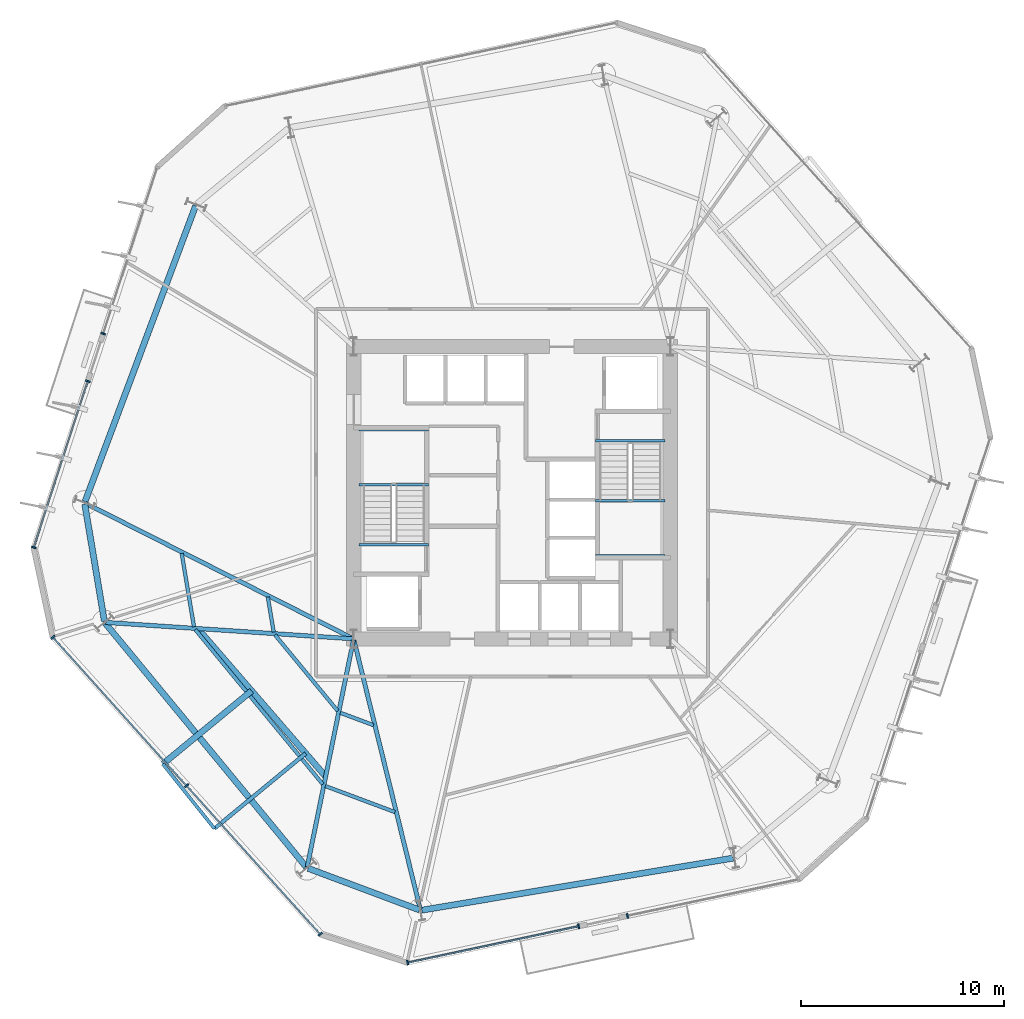
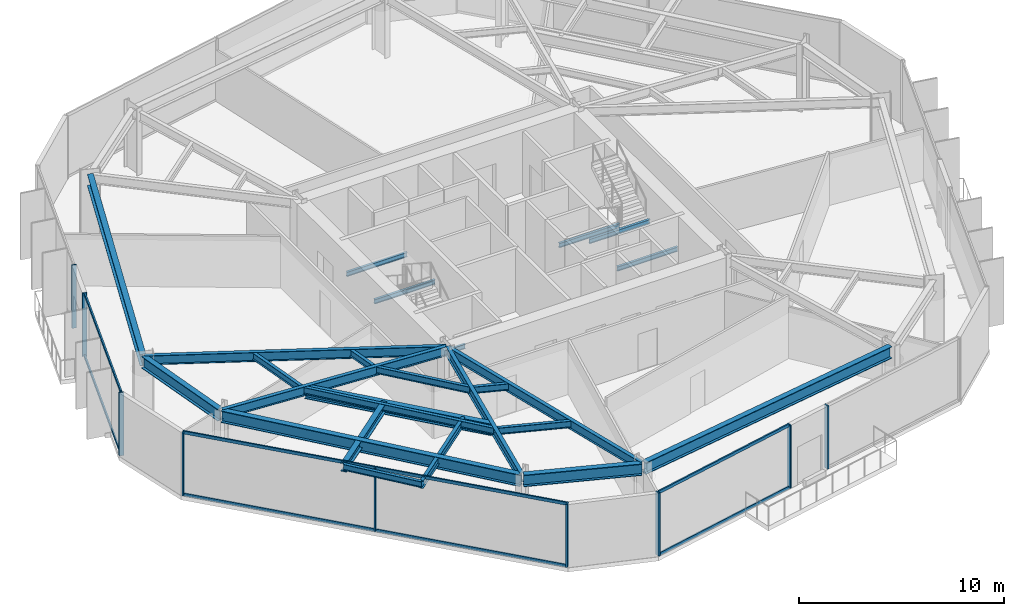
# One storey, part 2 of 10: 25 beams, 17 members, 5 elements without a shape of their own.
"""IFC4 building model written with IfcOpenShell, lengths in metres."""

from ifc_helpers import new_model, si_unit, direction, frame, origin, origin_2d, place, context, subcontext, project, spatial, rectangle, i_section, extrude, material, layer, layer_set, material_profile, profile_set, type_object, element, aggregate, save


model = new_model("IFC4")

# Units and contexts
model_context = context("Model", 3, precision=1e-05, world=origin(), true_north=direction((0.0, 1.0)))
body_context = subcontext(model_context, "Body", "Model", "MODEL_VIEW")
ifc_project = project(units=[si_unit("LENGTHUNIT", "METRE"), si_unit("AREAUNIT", "SQUARE_METRE"), si_unit("VOLUMEUNIT", "CUBIC_METRE"), si_unit("PLANEANGLEUNIT", "RADIAN"), si_unit("MASSUNIT", "GRAM", prefix="KILO")], contexts=[model_context])

# Site, building, storey
site_placement = place(None, origin())
site = spatial("IfcSite", under=ifc_project, at=site_placement, CompositionType="ELEMENT")
building_placement = place(site_placement, origin())
building = spatial("IfcBuilding", under=site, at=building_placement, Name="Kranzbogen Civic Tower", CompositionType="ELEMENT")
storey_placement = place(building_placement, frame((0.0, 0.0, 68.0)))
storey = spatial("IfcBuildingStorey", under=building, at=storey_placement, Name="L16", CompositionType="ELEMENT", Elevation=68.0)

# Beam
ifc_material_1 = material(Name="Steel S355", Category="steel")
ifc_material_profile_1 = material_profile(ifc_material_1, i_section(OverallWidth=0.18994140625, OverallDepth=0.449951171875, WebThickness=0.009521484375, FlangeThickness=0.0146484375, at=origin_2d()), Name="IPE 450")
ifc_profile_set_1 = profile_set([ifc_material_profile_1], Name="Steel S355")
beam_type_1 = type_object("IfcBeamType", Name="Braced Terrace Edge Beam IPE 450", PredefinedType="BEAM", material=ifc_profile_set_1)
beam_1_placement = place(storey_placement, frame((14.8369140625, 12.158935546875, 3.52490234375), z_axis=(-0.771677253301, -0.636014321173, 0.0), x_axis=(0.636014321173, -0.771677253301, 0.0)))
element("IfcBeam", 1, at=beam_1_placement, inside=storey, type_object=beam_type_1, Name="L17 back-spanned terrace beam L17-TB1-2", PredefinedType="BEAM", context=body_context, shape_type="SweptSolid", body=[
    extrude(i_section(OverallWidth=0.18994140625, OverallDepth=0.449951171875, WebThickness=0.009521484375, FlangeThickness=0.0146484375, at=origin_2d()), origin(), (0.0, 0.0, 1.0), 5.823486328125),
])

# Curtain wall, member
ifc_material_2 = material(Name="Pale Anodised Aluminium", Category="aluminium")
ifc_layer = layer(ifc_material_2, 0.219970703125, Name="Pale Anodised Aluminium")
ifc_layer_set = layer_set([ifc_layer], Name="Pale Anodised Aluminium")
curtain_wall_type = type_object("IfcCurtainWallType", Name="Zone 1 Stick Curtain Wall System CW-02", PredefinedType="USERDEFINED", material=ifc_layer_set)
curtain_wall_1_placement = place(storey_placement, origin())
curtain_wall_1 = element("IfcCurtainWall", 2, at=curtain_wall_1_placement, inside=storey, type_object=curtain_wall_type, Name="L16 curtain wall CW-L16-F3-S1", ObjectType="STICK CURTAIN WALL", PredefinedType="USERDEFINED")
ifc_material_profile_2 = material_profile(ifc_material_2, rectangle(XDim=0.080078125, YDim=0.239990234375, at=origin_2d()), Name="ALU-M 80x240")
ifc_profile_set_2 = profile_set([ifc_material_profile_2], Name="Pale Anodised Aluminium")
member_type_1 = type_object("IfcMemberType", Name="Curtain Wall Mullion ALU-M 80x240", PredefinedType="MULLION", material=ifc_profile_set_2)
member_1_placement = place(storey_placement, frame((4.86328125, 32.83642578125, 0.0), z_axis=(0.0, 0.0, 1.0), x_axis=(-0.30905738889, -0.951043390373, 0.0)))
member_1 = element("IfcMember", 3, at=member_1_placement, type_object=member_type_1, Name="CW-02 mullion 2", PredefinedType="MULLION", context=body_context, shape_type="SweptSolid", body=[
    extrude(rectangle(XDim=0.080078125, YDim=0.239990234375, at=origin_2d()), origin(), (0.0, 0.0, 1.0), 3.760009765625),
])
aggregate(curtain_wall_1, [member_1])

# Curtain wall, members
curtain_wall_2_placement = place(storey_placement, origin())
curtain_wall_2 = element("IfcCurtainWall", 4, at=curtain_wall_2_placement, inside=storey, type_object=curtain_wall_type, Name="L16 curtain wall CW-L16-F3-S2", ObjectType="STICK CURTAIN WALL", PredefinedType="USERDEFINED")
member_2_placement = place(storey_placement, frame((4.102783203125, 30.49658203125, 0.0), z_axis=(0.0, 0.0, 1.0), x_axis=(-0.30902349677, -0.951054403514, 0.0)))
member_2 = element("IfcMember", 5, at=member_2_placement, type_object=member_type_1, Name="CW-02 mullion 1", PredefinedType="MULLION", context=body_context, shape_type="SweptSolid", body=[
    extrude(rectangle(XDim=0.080078125, YDim=0.239990234375, at=origin_2d()), origin(), (0.0, 0.0, 1.0), 3.760009765625),
])
member_3_placement = place(storey_placement, frame((1.441162109375, 22.305419921875, 0.0), z_axis=(0.0, 0.0, 1.0), x_axis=(-0.30902349677, -0.951054403514, 0.0)))
member_3 = element("IfcMember", 6, at=member_3_placement, type_object=member_type_1, Name="CW-02 mullion 2", PredefinedType="MULLION", context=body_context, shape_type="SweptSolid", body=[
    extrude(rectangle(XDim=0.080078125, YDim=0.239990234375, at=origin_2d()), origin(), (0.0, 0.0, 1.0), 3.760009765625),
])

curtain_wall_3_placement = place(storey_placement, origin())
curtain_wall_3 = element("IfcCurtainWall", 7, at=curtain_wall_3_placement, inside=storey, type_object=curtain_wall_type, Name="L16 curtain wall CW-L16-F4", ObjectType="STICK CURTAIN WALL", PredefinedType="USERDEFINED")
member_4_placement = place(storey_placement, frame((2.383056640625, 17.879638671875, 0.0), z_axis=(0.0, 0.0, 1.0), x_axis=(0.669115812041, -0.743158146074, 0.0)))
member_4 = element("IfcMember", 8, at=member_4_placement, type_object=member_type_1, Name="CW-02 mullion 1", PredefinedType="MULLION", context=body_context, shape_type="SweptSolid", body=[
    extrude(rectangle(XDim=0.080078125, YDim=0.239990234375, at=origin_2d()), origin(), (0.0, 0.0, 1.0), 3.760009765625),
])
member_5_placement = place(storey_placement, frame((8.968994140625, 10.56494140625, 0.0), z_axis=(0.0, 0.0, 1.0), x_axis=(0.669115812041, -0.743158146074, 0.0)))
member_5 = element("IfcMember", 9, at=member_5_placement, type_object=member_type_1, Name="CW-02 mullion 2", PredefinedType="MULLION", context=body_context, shape_type="SweptSolid", body=[
    extrude(rectangle(XDim=0.080078125, YDim=0.239990234375, at=origin_2d()), origin(), (0.0, 0.0, 1.0), 3.760009765625),
])
member_6_placement = place(storey_placement, frame((15.554931640625, 3.250244140625, 0.0), z_axis=(0.0, 0.0, 1.0), x_axis=(0.669115812041, -0.743158146074, 0.0)))
member_6 = element("IfcMember", 10, at=member_6_placement, type_object=member_type_1, Name="CW-02 mullion 3", PredefinedType="MULLION", context=body_context, shape_type="SweptSolid", body=[
    extrude(rectangle(XDim=0.080078125, YDim=0.239990234375, at=origin_2d()), origin(), (0.0, 0.0, 1.0), 3.760009765625),
])

curtain_wall_4_placement = place(storey_placement, origin())
curtain_wall_4 = element("IfcCurtainWall", 11, at=curtain_wall_4_placement, inside=storey, type_object=curtain_wall_type, Name="L16 curtain wall CW-L16-F5-S1", ObjectType="STICK CURTAIN WALL", PredefinedType="USERDEFINED")
member_7_placement = place(storey_placement, frame((19.8583984375, 1.853271484375, 0.0), z_axis=(0.0, 0.0, 1.0), x_axis=(0.978168814906, 0.207811860934, 0.0)))
member_7 = element("IfcMember", 12, at=member_7_placement, type_object=member_type_1, Name="CW-02 mullion 1", PredefinedType="MULLION", context=body_context, shape_type="SweptSolid", body=[
    extrude(rectangle(XDim=0.080078125, YDim=0.239990234375, at=origin_2d()), origin(), (0.0, 0.0, 1.0), 3.760009765625),
])
member_8_placement = place(storey_placement, frame((28.28173828125, 3.642822265625, 0.0), z_axis=(0.0, 0.0, 1.0), x_axis=(0.978168814906, 0.207811860934, 0.0)))
member_8 = element("IfcMember", 13, at=member_8_placement, type_object=member_type_1, Name="CW-02 mullion 2", PredefinedType="MULLION", context=body_context, shape_type="SweptSolid", body=[
    extrude(rectangle(XDim=0.080078125, YDim=0.239990234375, at=origin_2d()), origin(), (0.0, 0.0, 1.0), 3.760009765625),
])

# Curtain wall, member
curtain_wall_5_placement = place(storey_placement, origin())
curtain_wall_5 = element("IfcCurtainWall", 14, at=curtain_wall_5_placement, inside=storey, type_object=curtain_wall_type, Name="L16 curtain wall CW-L16-F5-S2", ObjectType="STICK CURTAIN WALL", PredefinedType="USERDEFINED")
member_9_placement = place(storey_placement, frame((30.687255859375, 4.154296875, 0.0), z_axis=(0.0, 0.0, 1.0), x_axis=(0.978155334557, 0.207875302712, 0.0)))
member_9 = element("IfcMember", 15, at=member_9_placement, type_object=member_type_1, Name="CW-02 mullion 1", PredefinedType="MULLION", context=body_context, shape_type="SweptSolid", body=[
    extrude(rectangle(XDim=0.080078125, YDim=0.239990234375, at=origin_2d()), origin(), (0.0, 0.0, 1.0), 3.760009765625),
])
aggregate(curtain_wall_5, [member_9])

# Member
ifc_material_profile_3 = material_profile(ifc_material_2, rectangle(XDim=0.080078125, YDim=0.179931640625, at=origin_2d()), Name="ALU-T 80x180")
ifc_profile_set_3 = profile_set([ifc_material_profile_3], Name="Pale Anodised Aluminium")
member_type_2 = type_object("IfcMemberType", Name="Curtain Wall Transom ALU-T 80x180", PredefinedType="USERDEFINED", material=ifc_profile_set_3)
member_10_placement = place(storey_placement, frame((4.093505859375, 30.468017578125, 0.030029296875), z_axis=(-0.309033789518, -0.951051059058, 0.0), x_axis=(0.951051059058, -0.309033789518, 0.0)))
member_10 = element("IfcMember", 16, at=member_10_placement, type_object=member_type_2, Name="CW-02 transom 1.1", ObjectType="TRANSOM", PredefinedType="USERDEFINED", context=body_context, shape_type="SweptSolid", body=[
    extrude(rectangle(XDim=0.080078125, YDim=0.179931640625, at=origin_2d()), origin(), (0.0, 0.0, 1.0), 8.552734375),
])

member_11_placement = place(storey_placement, frame((4.093505859375, 30.468017578125, 3.72998046875), z_axis=(-0.309033789518, -0.951051059058, 0.0), x_axis=(0.951051059058, -0.309033789518, 0.0)))
member_11 = element("IfcMember", 17, at=member_11_placement, type_object=member_type_2, Name="CW-02 transom 1.2", ObjectType="TRANSOM", PredefinedType="USERDEFINED", context=body_context, shape_type="SweptSolid", body=[
    extrude(rectangle(XDim=0.080078125, YDim=0.179931640625, at=origin_2d()), origin(), (0.0, 0.0, 1.0), 8.552734375),
])

aggregate(curtain_wall_2, [member_2, member_3, member_10, member_11])

member_12_placement = place(storey_placement, frame((2.403076171875, 17.857421875, 0.030029296875), z_axis=(0.669127413908, -0.743147699961, 0.0), x_axis=(0.743147699961, 0.669127413908, 0.0)))
member_12 = element("IfcMember", 18, at=member_12_placement, type_object=member_type_2, Name="CW-02 transom 1.1", ObjectType="TRANSOM", PredefinedType="USERDEFINED", context=body_context, shape_type="SweptSolid", body=[
    extrude(rectangle(XDim=0.080078125, YDim=0.179931640625, at=origin_2d()), origin(), (0.0, 0.0, 1.0), 9.78271484375),
])

member_13_placement = place(storey_placement, frame((2.403076171875, 17.857421875, 3.72998046875), z_axis=(0.669127413908, -0.743147699961, 0.0), x_axis=(0.743147699961, 0.669127413908, 0.0)))
member_13 = element("IfcMember", 19, at=member_13_placement, type_object=member_type_2, Name="CW-02 transom 1.2", ObjectType="TRANSOM", PredefinedType="USERDEFINED", context=body_context, shape_type="SweptSolid", body=[
    extrude(rectangle(XDim=0.080078125, YDim=0.179931640625, at=origin_2d()), origin(), (0.0, 0.0, 1.0), 9.78271484375),
])

member_14_placement = place(storey_placement, frame((8.989013671875, 10.542724609375, 0.030029296875), z_axis=(0.669127413908, -0.743147699961, 0.0), x_axis=(0.743147699961, 0.669127413908, 0.0)))
member_14 = element("IfcMember", 20, at=member_14_placement, type_object=member_type_2, Name="CW-02 transom 2.1", ObjectType="TRANSOM", PredefinedType="USERDEFINED", context=body_context, shape_type="SweptSolid", body=[
    extrude(rectangle(XDim=0.080078125, YDim=0.179931640625, at=origin_2d()), origin(), (0.0, 0.0, 1.0), 9.78271484375),
])

member_15_placement = place(storey_placement, frame((8.989013671875, 10.542724609375, 3.72998046875), z_axis=(0.669127413908, -0.743147699961, 0.0), x_axis=(0.743147699961, 0.669127413908, 0.0)))
member_15 = element("IfcMember", 21, at=member_15_placement, type_object=member_type_2, Name="CW-02 transom 2.2", ObjectType="TRANSOM", PredefinedType="USERDEFINED", context=body_context, shape_type="SweptSolid", body=[
    extrude(rectangle(XDim=0.080078125, YDim=0.179931640625, at=origin_2d()), origin(), (0.0, 0.0, 1.0), 9.78271484375),
])

aggregate(curtain_wall_3, [member_4, member_5, member_6, member_12, member_13, member_14, member_15])

member_16_placement = place(storey_placement, frame((19.8876953125, 1.859375, 0.030029296875), z_axis=(0.978167339692, 0.207818804636, 0.0), x_axis=(-0.207818804636, 0.978167339692, 0.0)))
member_16 = element("IfcMember", 22, at=member_16_placement, type_object=member_type_2, Name="CW-02 transom 1.1", ObjectType="TRANSOM", PredefinedType="USERDEFINED", context=body_context, shape_type="SweptSolid", body=[
    extrude(rectangle(XDim=0.080078125, YDim=0.179931640625, at=origin_2d()), origin(), (0.0, 0.0, 1.0), 8.55126953125),
])

member_17_placement = place(storey_placement, frame((19.8876953125, 1.859375, 3.72998046875), z_axis=(0.978167339692, 0.207818804636, 0.0), x_axis=(-0.207818804636, 0.978167339692, 0.0)))
member_17 = element("IfcMember", 23, at=member_17_placement, type_object=member_type_2, Name="CW-02 transom 1.2", ObjectType="TRANSOM", PredefinedType="USERDEFINED", context=body_context, shape_type="SweptSolid", body=[
    extrude(rectangle(XDim=0.080078125, YDim=0.179931640625, at=origin_2d()), origin(), (0.0, 0.0, 1.0), 8.55126953125),
])

aggregate(curtain_wall_4, [member_7, member_8, member_16, member_17])

# Beams
ifc_material_profile_4 = material_profile(ifc_material_1, i_section(OverallWidth=0.300048828125, OverallDepth=0.5, WebThickness=0.014404296875, FlangeThickness=0.028076171875, at=origin_2d()), Name="HEB 500")
ifc_profile_set_4 = profile_set([ifc_material_profile_4], Name="Steel S355")
beam_type_2 = type_object("IfcBeamType", Name="Perimeter Tube Spandrel Beam HEB 500", PredefinedType="SPANDREL", material=ifc_profile_set_4)
beam_2_placement = place(storey_placement, frame((12.172119140625, 15.240966796875, 3.5), z_axis=(-0.77162915137, -0.636072678832, 0.0), x_axis=(0.636072678832, -0.77162915137, 0.0)))
element("IfcBeam", 24, at=beam_2_placement, inside=storey, type_object=beam_type_2, Name="L17 back-spanned terrace beam L17-TB1-1", PredefinedType="SPANDREL", context=body_context, shape_type="SweptSolid", body=[
    extrude(i_section(OverallWidth=0.300048828125, OverallDepth=0.5, WebThickness=0.014404296875, FlangeThickness=0.028076171875, at=origin_2d()), origin(), (0.0, 0.0, 1.0), 5.666015625),
])
ifc_material_profile_5 = material_profile(ifc_material_1, i_section(OverallWidth=0.300048828125, OverallDepth=0.699951171875, WebThickness=0.01708984375, FlangeThickness=0.031982421875, at=origin_2d()), Name="HEB 700")
ifc_profile_set_5 = profile_set([ifc_material_profile_5], Name="Steel S355")
beam_type_3 = type_object("IfcBeamType", Name="Perimeter Tube Spandrel Beam HEB 700", PredefinedType="SPANDREL", material=ifc_profile_set_5)
beam_3_placement = place(storey_placement, frame((3.952880859375, 24.445068359375, 3.409912109375), z_axis=(0.164913116942, -0.986308097838, 0.0), x_axis=(0.986308097838, 0.164913116942, 0.0)))
element("IfcBeam", 25, at=beam_3_placement, inside=storey, type_object=beam_type_3, Name="L16 perimeter spandrel beam 01", PredefinedType="SPANDREL", context=body_context, shape_type="SweptSolid", body=[
    extrude(i_section(OverallWidth=0.300048828125, OverallDepth=0.699951171875, WebThickness=0.01708984375, FlangeThickness=0.031982421875, at=origin_2d()), origin(), (0.0, 0.0, 1.0), 5.85205078125),
])
beam_4_placement = place(storey_placement, frame((4.966064453125, 18.568115234375, 3.409912109375), z_axis=(0.636074572579, -0.771627590304, 0.0), x_axis=(0.771627590304, 0.636074572579, 0.0)))
element("IfcBeam", 26, at=beam_4_placement, inside=storey, type_object=beam_type_3, Name="L16 perimeter spandrel beam 02", PredefinedType="SPANDREL", context=body_context, shape_type="SweptSolid", body=[
    extrude(i_section(OverallWidth=0.300048828125, OverallDepth=0.699951171875, WebThickness=0.01708984375, FlangeThickness=0.031982421875, at=origin_2d()), origin(), (0.0, 0.0, 1.0), 15.5595703125),
])
beam_5_placement = place(storey_placement, frame((14.95703125, 6.4951171875, 3.409912109375), z_axis=(0.936647646965, -0.350273015568, 0.0), x_axis=(0.350273015568, 0.936647646965, 0.0)))
element("IfcBeam", 27, at=beam_5_placement, inside=storey, type_object=beam_type_3, Name="L16 perimeter spandrel beam 03", PredefinedType="SPANDREL", context=body_context, shape_type="SweptSolid", body=[
    extrude(i_section(OverallWidth=0.300048828125, OverallDepth=0.699951171875, WebThickness=0.01708984375, FlangeThickness=0.031982421875, at=origin_2d()), origin(), (0.0, 0.0, 1.0), 5.852783203125),
])
beam_6_placement = place(storey_placement, frame((20.553955078125, 4.43408203125, 3.409912109375), z_axis=(0.986285563243, 0.165047834697, 0.0), x_axis=(-0.165047834697, 0.986285563243, 0.0)))
element("IfcBeam", 28, at=beam_6_placement, inside=storey, type_object=beam_type_3, Name="L16 perimeter spandrel beam 04", PredefinedType="SPANDREL", context=body_context, shape_type="SweptSolid", body=[
    extrude(i_section(OverallWidth=0.300048828125, OverallDepth=0.699951171875, WebThickness=0.01708984375, FlangeThickness=0.031982421875, at=origin_2d()), origin(), (0.0, 0.0, 1.0), 15.558349609375),
])
beam_7_placement = place(storey_placement, frame((9.412109375, 39.133056640625, 3.409912109375), z_axis=(-0.350172267932, -0.936685316833, 0.0), x_axis=(0.936685316833, -0.350172267932, 0.0)))
element("IfcBeam", 29, at=beam_7_placement, inside=storey, type_object=beam_type_3, Name="L16 perimeter spandrel beam 12", PredefinedType="SPANDREL", context=body_context, shape_type="SweptSolid", body=[
    extrude(i_section(OverallWidth=0.300048828125, OverallDepth=0.699951171875, WebThickness=0.01708984375, FlangeThickness=0.031982421875, at=origin_2d()), origin(), (0.0, 0.0, 1.0), 15.55810546875),
])
beam_8_placement = place(storey_placement, frame((9.51806640625, 18.31005859375, 3.39990234375), z_axis=(0.654072384898, -0.75643196344, 0.0), x_axis=(0.75643196344, 0.654072384898, 0.0)))
element("IfcBeam", 30, at=beam_8_placement, inside=storey, type_object=beam_type_3, Name="L17 balcony back-span header girder L17-TB1", PredefinedType="SPANDREL", context=body_context, shape_type="SweptSolid", body=[
    extrude(i_section(OverallWidth=0.300048828125, OverallDepth=0.699951171875, WebThickness=0.01708984375, FlangeThickness=0.031982421875, at=origin_2d()), origin(), (0.0, 0.0, 1.0), 9.633544921875),
])
ifc_material_profile_6 = material_profile(ifc_material_1, i_section(OverallWidth=0.2099609375, OverallDepth=0.550048828125, WebThickness=0.010986328125, FlangeThickness=0.01708984375, at=origin_2d()), Name="IPE 550")
ifc_profile_set_6 = profile_set([ifc_material_profile_6], Name="Steel S355")
beam_type_4 = type_object("IfcBeamType", Name="Radial Tower Floor Girder IPE 550", PredefinedType="BEAM", material=ifc_profile_set_6)
beam_9_placement = place(storey_placement, frame((3.9970703125, 24.47705078125, 3.485107421875), z_axis=(0.892363219254, -0.451317942168, 0.0), x_axis=(0.451317942168, 0.892363219254, 0.0)))
element("IfcBeam", 31, at=beam_9_placement, inside=storey, type_object=beam_type_4, Name="L16 radial floor girder 01", PredefinedType="BEAM", context=body_context, shape_type="SweptSolid", body=[
    extrude(i_section(OverallWidth=0.2099609375, OverallDepth=0.550048828125, WebThickness=0.010986328125, FlangeThickness=0.01708984375, at=origin_2d()), origin(), (0.0, 0.0, 1.0), 14.73486328125),
])
beam_10_placement = place(storey_placement, frame((4.988037109375, 18.610107421875, 3.485107421875), z_axis=(0.99780674843, -0.066194356156, 0.0), x_axis=(0.066194356156, 0.99780674843, 0.0)))
element("IfcBeam", 32, at=beam_10_placement, inside=storey, type_object=beam_type_4, Name="L16 radial floor girder 02", PredefinedType="BEAM", context=body_context, shape_type="SweptSolid", body=[
    extrude(i_section(OverallWidth=0.2099609375, OverallDepth=0.550048828125, WebThickness=0.010986328125, FlangeThickness=0.01708984375, at=origin_2d()), origin(), (0.0, 0.0, 1.0), 12.178466796875),
])
beam_11_placement = place(storey_placement, frame((14.9130859375, 6.574951171875, 3.485107421875), z_axis=(0.199633433694, 0.979870650725, 0.0), x_axis=(-0.979870650725, 0.199633433694, 0.0)))
element("IfcBeam", 33, at=beam_11_placement, inside=storey, type_object=beam_type_4, Name="L16 radial floor girder 03", PredefinedType="BEAM", context=body_context, shape_type="SweptSolid", body=[
    extrude(i_section(OverallWidth=0.2099609375, OverallDepth=0.550048828125, WebThickness=0.010986328125, FlangeThickness=0.01708984375, at=origin_2d()), origin(), (0.0, 0.0, 1.0), 11.3955078125),
])
beam_12_placement = place(storey_placement, frame((20.48095703125, 4.48193359375, 3.485107421875), z_axis=(-0.239215348776, 0.970966537482, 0.0), x_axis=(-0.970966537482, -0.239215348776, 0.0)))
element("IfcBeam", 34, at=beam_12_placement, inside=storey, type_object=beam_type_4, Name="L16 radial floor girder 04", PredefinedType="BEAM", context=body_context, shape_type="SweptSolid", body=[
    extrude(i_section(OverallWidth=0.2099609375, OverallDepth=0.550048828125, WebThickness=0.010986328125, FlangeThickness=0.01708984375, at=origin_2d()), origin(), (0.0, 0.0, 1.0), 13.656494140625),
])
ifc_material_profile_7 = material_profile(ifc_material_1, i_section(OverallWidth=0.169921875, OverallDepth=0.360107421875, WebThickness=0.008056640625, FlangeThickness=0.0126953125, at=origin_2d()), Name="IPE 360")
ifc_profile_set_7 = profile_set([ifc_material_profile_7], Name="Steel S355")
beam_type_5 = type_object("IfcBeamType", Name="Secondary Composite Floor Joist IPE 360", PredefinedType="JOIST", material=ifc_profile_set_7)
beam_13_placement = place(storey_placement, frame((7.800048828125, 11.636962890625, 3.570068359375), z_axis=(0.624314878506, -0.78117279297, 0.0), x_axis=(0.78117279297, 0.624314878506, 0.0)))
element("IfcBeam", 35, at=beam_13_placement, inside=storey, type_object=beam_type_5, Name="L17 terrace outer edge trimmer L17-TB1", PredefinedType="JOIST", context=body_context, shape_type="SweptSolid", body=[
    extrude(i_section(OverallWidth=0.169921875, OverallDepth=0.360107421875, WebThickness=0.008056640625, FlangeThickness=0.0126953125, at=origin_2d()), origin(), (0.0, 0.0, 1.0), 4.0732421875),
])
ifc_material_profile_8 = material_profile(ifc_material_1, i_section(OverallWidth=0.179931640625, OverallDepth=0.39990234375, WebThickness=0.008544921875, FlangeThickness=0.013427734375, at=origin_2d()), Name="IPE 400")
ifc_profile_set_8 = profile_set([ifc_material_profile_8], Name="Steel S355")
beam_type_6 = type_object("IfcBeamType", Name="Secondary Composite Floor Joist IPE 400", PredefinedType="JOIST", material=ifc_profile_set_8)
beam_14_placement = place(storey_placement, frame((8.72900390625, 22.011962890625, 3.56005859375), z_axis=(0.164928678379, -0.986305495802, 0.0), x_axis=(0.986305495802, 0.164928678379, 0.0)))
element("IfcBeam", 36, at=beam_14_placement, inside=storey, type_object=beam_type_6, Name="L16 secondary floor joist 1.01", PredefinedType="JOIST", context=body_context, shape_type="SweptSolid", body=[
    extrude(i_section(OverallWidth=0.179931640625, OverallDepth=0.39990234375, WebThickness=0.008544921875, FlangeThickness=0.013427734375, at=origin_2d()), origin(), (0.0, 0.0, 1.0), 3.662109375),
])
beam_15_placement = place(storey_placement, frame((12.970947265625, 19.865966796875, 3.56005859375), z_axis=(0.165077224104, -0.986280644686, 0.0), x_axis=(0.986280644686, 0.165077224104, 0.0)))
element("IfcBeam", 37, at=beam_15_placement, inside=storey, type_object=beam_type_6, Name="L16 secondary floor joist 2.01", PredefinedType="JOIST", context=body_context, shape_type="SweptSolid", body=[
    extrude(i_section(OverallWidth=0.179931640625, OverallDepth=0.39990234375, WebThickness=0.008544921875, FlangeThickness=0.013427734375, at=origin_2d()), origin(), (0.0, 0.0, 1.0), 1.7509765625),
])
beam_16_placement = place(storey_placement, frame((9.39697265625, 18.259033203125, 3.56005859375), z_axis=(0.636094561772, -0.771611112209, 0.0), x_axis=(0.771611112209, 0.636094561772, 0.0)))
element("IfcBeam", 38, at=beam_16_placement, inside=storey, type_object=beam_type_6, Name="L16 secondary floor joist 1.02", PredefinedType="JOIST", context=body_context, shape_type="SweptSolid", body=[
    extrude(i_section(OverallWidth=0.179931640625, OverallDepth=0.39990234375, WebThickness=0.008544921875, FlangeThickness=0.013427734375, at=origin_2d()), origin(), (0.0, 0.0, 1.0), 9.874267578125),
])
beam_17_placement = place(storey_placement, frame((13.323974609375, 17.9990234375, 3.56005859375), z_axis=(0.636012010413, -0.771679157818, 0.0), x_axis=(0.771679157818, 0.636012010413, 0.0)))
element("IfcBeam", 39, at=beam_17_placement, inside=storey, type_object=beam_type_6, Name="L16 secondary floor joist 2.02", PredefinedType="JOIST", context=body_context, shape_type="SweptSolid", body=[
    extrude(i_section(OverallWidth=0.179931640625, OverallDepth=0.39990234375, WebThickness=0.008544921875, FlangeThickness=0.013427734375, at=origin_2d()), origin(), (0.0, 0.0, 1.0), 4.85693359375),
])
beam_18_placement = place(storey_placement, frame((15.803955078125, 10.550048828125, 3.56005859375), z_axis=(0.936622008794, -0.350341565678, 0.0), x_axis=(0.350341565678, 0.936622008794, 0.0)))
element("IfcBeam", 40, at=beam_18_placement, inside=storey, type_object=beam_type_6, Name="L16 secondary floor joist 1.03", PredefinedType="JOIST", context=body_context, shape_type="SweptSolid", body=[
    extrude(i_section(OverallWidth=0.179931640625, OverallDepth=0.39990234375, WebThickness=0.008544921875, FlangeThickness=0.013427734375, at=origin_2d()), origin(), (0.0, 0.0, 1.0), 3.662109375),
])
beam_19_placement = place(storey_placement, frame((16.5390625, 14.160888671875, 3.56005859375), z_axis=(0.936735458815, -0.350038112495, 0.0), x_axis=(0.350038112495, 0.936735458815, 0.0)))
element("IfcBeam", 41, at=beam_19_placement, inside=storey, type_object=beam_type_6, Name="L16 secondary floor joist 2.03", PredefinedType="JOIST", context=body_context, shape_type="SweptSolid", body=[
    extrude(i_section(OverallWidth=0.179931640625, OverallDepth=0.39990234375, WebThickness=0.008544921875, FlangeThickness=0.013427734375, at=origin_2d()), origin(), (0.0, 0.0, 1.0), 1.750732421875),
])
ifc_material_profile_9 = material_profile(ifc_material_1, i_section(OverallWidth=0.135009765625, OverallDepth=0.27001953125, WebThickness=0.006591796875, FlangeThickness=0.01025390625, at=origin_2d()), Name="IPE 270")
ifc_profile_set_9 = profile_set([ifc_material_profile_9], Name="Steel S355")
beam_type_7 = type_object("IfcBeamType", Name="Stair Landing Support Beam IPE 270", PredefinedType="JOIST", material=ifc_profile_set_9)
for number, where, z_axis, x_axis, name in (
    (42, (20.8798828125, 22.43994140625, -0.375), (-1.0, 0.0, 0.0), (0.0, -1.0, 0.0), "L16 ST-T1 stair floor header beam"),
    (43, (20.8798828125, 25.39990234375, 1.6650390625), (-1.0, 0.0, 0.0), (0.0, -1.0, 0.0), "L16 ST-T1 landing support beam 1.1"),
    (44, (20.8798828125, 28.10009765625, 1.6650390625), (-1.0, 0.0, 0.0), (0.0, -1.0, 0.0), "L16 ST-T1 landing support beam 1.2"),
    (45, (29.1201171875, 27.56005859375, -0.375), (1.0, 0.0, 0.0), (0.0, 1.0, 0.0), "L16 ST-T2 stair floor header beam"),
    (46, (29.1201171875, 24.60009765625, 1.6650390625), (1.0, 0.0, 0.0), (0.0, 1.0, 0.0), "L16 ST-T2 landing support beam 1.1"),
    (47, (29.1201171875, 21.89990234375, 1.6650390625), (1.0, 0.0, 0.0), (0.0, 1.0, 0.0), "L16 ST-T2 landing support beam 1.2"),
):
    element("IfcBeam", number, at=place(storey_placement, frame(where, z_axis=z_axis, x_axis=x_axis)), inside=storey, type_object=beam_type_7, Name=name, PredefinedType="JOIST", context=body_context, shape_type="SweptSolid", body=[
        extrude(i_section(OverallWidth=0.135009765625, OverallDepth=0.27001953125, WebThickness=0.006591796875, FlangeThickness=0.01025390625, at=origin_2d()), origin(), (0.0, 0.0, 1.0), 3.409912109375),
    ])

save(model, "model.ifc")
